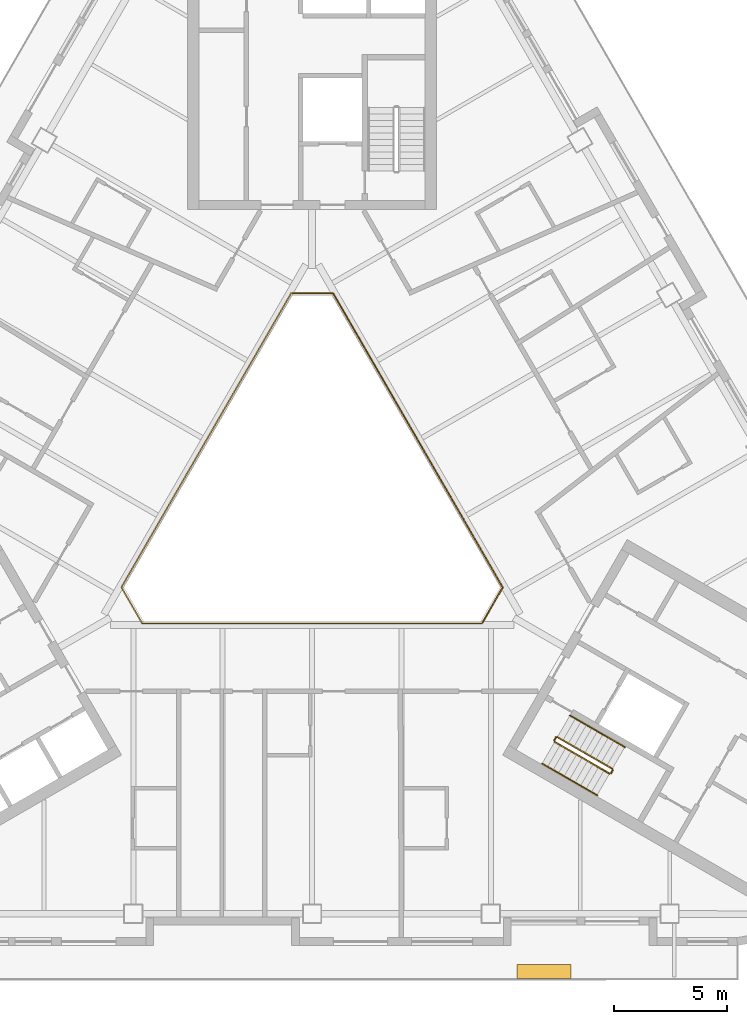
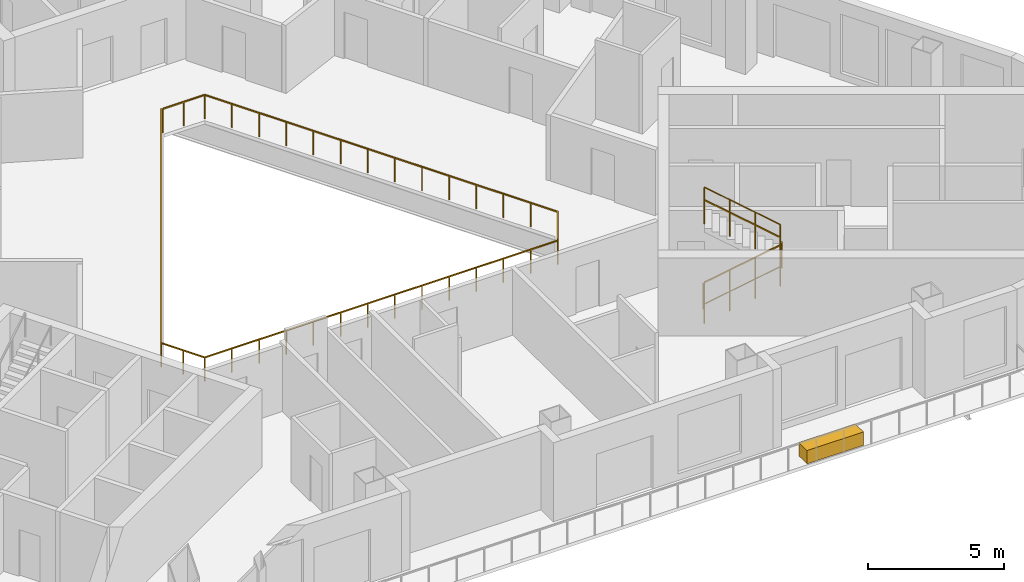
# One storey, part 12 of 14: 8 railings, 1 covering.
"""IFC4 building model written with IfcOpenShell, lengths in metres."""

import ifcopenshell
import ifcopenshell.guid

model = None  # the IFC model being written
_history = None  # IfcOwnerHistory: only IFC2X3 demands one
_inside = {}  # id of a spatial element -> (the spatial element, [elements in it])
_under = {}  # id of a project, library or spatial element -> (it, [spatial elements below it])
_declared = {}  # id of a project -> (the project, [libraries it declares])
_typed = {}  # id of a type object -> (the type object, [elements of that type])
_made_of = {}  # id of a material, layer set ... -> (it, [elements and type objects made of it])


def new_model(schema):
    """Start an empty IFC model of exactly this schema.

    Asked for "IFC4X3", IfcOpenShell would pick the latest addendum, in which some entities
    have other attributes; the version numbers below select the first issue.
    IFC2X3 requires an IfcOwnerHistory on every rooted entity: one is made here for all.
    """
    global model, _history
    if schema == "IFC4X3":
        model = ifcopenshell.file(schema_version=(4, 3, 0, 0))
    else:
        model = ifcopenshell.file(schema=schema)
    _inside.clear()
    _under.clear()
    _declared.clear()
    _typed.clear()
    _made_of.clear()
    _history = None
    if model.schema == "IFC2X3":
        org = make("IfcOrganization", Name="unknown")
        user = make(
            "IfcPersonAndOrganization",
            ThePerson=make("IfcPerson", FamilyName="unknown"),
            TheOrganization=org,
        )
        app = make(
            "IfcApplication",
            ApplicationDeveloper=org,
            Version="unknown",
            ApplicationFullName="unknown",
            ApplicationIdentifier="unknown",
        )
        _history = make(
            "IfcOwnerHistory",
            OwningUser=user,
            OwningApplication=app,
            ChangeAction="ADDED",
            CreationDate=0,
        )
    return model


def make(cls, **values):
    """One entity of the class cls with the attributes given. An attribute that is None is left unset."""
    return model.create_entity(
        cls, **{name: value for name, value in values.items() if value is not None}
    )


def rooted(cls, **values):
    """An entity with a GlobalId (a new one), such as an element, a storey or a relation."""
    return make(cls, GlobalId=ifcopenshell.guid.new(), OwnerHistory=_history, **values)


def si_unit(unit_type, name, prefix=None):
    """IfcSIUnit, for example si_unit("LENGTHUNIT", "METRE", prefix="MILLI")."""
    return make("IfcSIUnit", UnitType=unit_type, Prefix=prefix, Name=name)


def assignment(units):
    """IfcUnitAssignment: the units of a project."""
    return None if units is None else make("IfcUnitAssignment", Units=units)


def point(xyz):
    """IfcCartesianPoint."""
    return None if xyz is None else make("IfcCartesianPoint", Coordinates=xyz)


def direction(xyz):
    """IfcDirection."""
    return None if xyz is None else make("IfcDirection", DirectionRatios=xyz)


def frame(location, z_axis=None, x_axis=None):
    """IfcAxis2Placement3D, a coordinate frame: its origin and axes. An axis left out is left unset."""
    return make(
        "IfcAxis2Placement3D",
        Location=point(location),
        Axis=direction(z_axis),
        RefDirection=direction(x_axis),
    )


def frame_2d(location, x_axis=None):
    """IfcAxis2Placement2D, a coordinate frame in the plane: its origin and x axis."""
    return make(
        "IfcAxis2Placement2D", Location=point(location), RefDirection=direction(x_axis)
    )


def origin():
    """The frame at (0, 0, 0) with its axes left unset."""
    return frame((0.0, 0.0, 0.0))


def origin_2d():
    """The frame at (0, 0) in the plane with its x axis left unset."""
    return frame_2d((0.0, 0.0))


def place(relative_to, where):
    """IfcLocalPlacement: puts the frame where relative to a parent placement (None: the world)."""
    return make(
        "IfcLocalPlacement", PlacementRelTo=relative_to, RelativePlacement=where
    )


def context(
    kind, dimensions, precision=None, world=None, true_north=None, identifier=None
):
    """IfcGeometricRepresentationContext, for example the 3D "Model" context."""
    return make(
        "IfcGeometricRepresentationContext",
        ContextIdentifier=identifier,
        ContextType=kind,
        CoordinateSpaceDimension=dimensions,
        Precision=precision,
        WorldCoordinateSystem=world,
        TrueNorth=true_north,
    )


def subcontext(parent, identifier, kind, view, scale=None):
    """IfcGeometricRepresentationSubContext, for example "Body" below "Model"."""
    return make(
        "IfcGeometricRepresentationSubContext",
        ContextIdentifier=identifier,
        ContextType=kind,
        ParentContext=parent,
        TargetScale=scale,
        TargetView=view,
    )


def project(units=None, contexts=None):
    """IfcProject with its units and contexts."""
    return rooted(
        "IfcProject",
        Name="project",
        RepresentationContexts=contexts,
        UnitsInContext=assignment(units),
    )


def spatial(cls, under=None, at=None, **own):
    """A site, building, storey or space (cls), placed at a placement, below another one or the project."""
    s = rooted(cls, ObjectPlacement=at, **own)
    if under is not None:
        _under.setdefault(under.id(), (under, []))[1].append(s)
    return s


def profile(cls, at=None, kind="AREA", **sizes):
    """A parametric profile (cls). Its sizes go by their IFC names, for example OverallWidth=200.0."""
    return make(cls, ProfileType=kind, Position=at, **sizes)


def rectangle(**sizes):
    """IfcRectangleProfileDef."""
    return profile("IfcRectangleProfileDef", **sizes)


def circle(**sizes):
    """IfcCircleProfileDef."""
    return profile("IfcCircleProfileDef", **sizes)


def extrude(swept, where, along, depth):
    """IfcExtrudedAreaSolid: the profile swept, set in the frame where, extruded along a direction by depth."""
    return make(
        "IfcExtrudedAreaSolid",
        SweptArea=swept,
        Position=where,
        ExtrudedDirection=direction(along),
        Depth=depth,
    )


def shape(context_of_items, identifier, shape_type, items):
    """IfcShapeRepresentation: the items that make up one representation, for example the "Body"."""
    return make(
        "IfcShapeRepresentation",
        ContextOfItems=context_of_items,
        RepresentationIdentifier=identifier,
        RepresentationType=shape_type,
        Items=items,
    )


def material(Name=None, Category=None):
    """IfcMaterial."""
    return make("IfcMaterial", Name=Name, Category=Category)


def made_of(thing, what):
    """Note that an element or type object is made of a material, layer set ...; save() writes the relation."""
    if what is not None:
        _made_of.setdefault(what.id(), (what, []))[1].append(thing)
    return thing


def type_object(cls, material=None, **own):
    """A type object (cls), such as IfcWallType, which elements share."""
    return made_of(rooted(cls, **own), material)


def element(
    cls,
    number,
    at=None,
    inside=None,
    cuts=None,
    type_object=None,
    material=None,
    context=None,
    identifier="Body",
    shape_type=None,
    held_by="IfcProductDefinitionShape",
    body=None,
    shapes=None,
    **own,
):
    """One element of the class cls, such as IfcWall. Its Tag is "e" and its number.

    at: its placement. inside: the storey or other place that contains it. cuts: it is an
    opening in that element (IfcRelVoidsElement). A single representation is given by context,
    identifier, shape_type and body (its items); several are given by shapes. held_by: the class
    of the entity that holds the representations. save() writes the other relations.
    """
    e = rooted(cls, Tag="e%d" % number, ObjectPlacement=at, **own)
    if body is not None:
        shapes = [shape(context, identifier, shape_type, body)]
    if shapes is not None:
        e.Representation = make(held_by, Representations=shapes)
    if inside is not None:
        _inside.setdefault(inside.id(), (inside, []))[1].append(e)
    if cuts is not None:
        rooted(
            "IfcRelVoidsElement", RelatingBuildingElement=cuts, RelatedOpeningElement=e
        )
    if type_object is not None:
        _typed.setdefault(type_object.id(), (type_object, []))[1].append(e)
    return made_of(e, material)


def aggregate(whole, parts):
    """IfcRelAggregates: a whole, such as a stair, and the parts it consists of."""
    return rooted("IfcRelAggregates", RelatingObject=whole, RelatedObjects=parts)


def save(model, path):
    """Write the relations noted so far, then the file.

    IfcRelAggregates (storeys below a building ...), IfcRelContainedInSpatialStructure (elements
    in a storey), IfcRelDefinesByType, IfcRelAssociatesMaterial and IfcRelDeclares: one each for
    every whole, place, type object, material and project.
    """
    for whole, parts in _under.values():
        aggregate(whole, parts)
    for where, things in _inside.values():
        rooted(
            "IfcRelContainedInSpatialStructure",
            RelatedElements=things,
            RelatingStructure=where,
        )
    for kind, things in _typed.values():
        rooted("IfcRelDefinesByType", RelatedObjects=things, RelatingType=kind)
    for what, things in _made_of.values():
        rooted("IfcRelAssociatesMaterial", RelatedObjects=things, RelatingMaterial=what)
    for by, libraries in _declared.values():
        rooted("IfcRelDeclares", RelatingContext=by, RelatedDefinitions=libraries)
    model.write(path)


model = new_model("IFC4")

# Units and contexts
model_context = context("Model", 3, precision=1e-05, world=origin(), true_north=direction((0.0, 1.0)))
body_context = subcontext(model_context, "Body", "Model", "MODEL_VIEW")
ifc_project = project(units=[si_unit("LENGTHUNIT", "METRE"), si_unit("AREAUNIT", "SQUARE_METRE"), si_unit("VOLUMEUNIT", "CUBIC_METRE"), si_unit("PLANEANGLEUNIT", "RADIAN"), si_unit("MASSUNIT", "GRAM", prefix="KILO")], contexts=[model_context])

# Site, building, storey
site_placement = place(None, origin())
site = spatial("IfcSite", under=ifc_project, at=site_placement, CompositionType="ELEMENT")
building_placement = place(site_placement, origin())
building = spatial("IfcBuilding", under=site, at=building_placement, Name="Apuvela Tower Hotel", CompositionType="ELEMENT")
storey_placement = place(building_placement, frame((0.0, 0.0, 179.89990234375)))
storey = spatial("IfcBuildingStorey", under=building, at=storey_placement, Name="L43", CompositionType="ELEMENT", Elevation=179.89990234375)

# Railings
ifc_material_1 = material(Name="Steel S275 balustrade", Category="steel")
railing_type_1 = type_object("IfcRailingType", Name="COR-GUARD-1100", PredefinedType="GUARDRAIL", material=ifc_material_1)
railing_1_placement = place(storey_placement, frame((10.718994140625, -10.63427734375, 0.168212890625)))
element("IfcRailing", 1, at=railing_1_placement, inside=storey, type_object=railing_type_1, Name="L43 ST3 stair guard 1", PredefinedType="GUARDRAIL", context=body_context, shape_type="SweptSolid", body=[
    extrude(rectangle(XDim=0.048095703125, YDim=0.048095703125, at=origin_2d()), frame((0.0, 0.0, 1.076171875), z_axis=(0.742390482028, -0.42860119049, 0.514934356695), x_axis=(0.49998411664, 0.866034573852, 0.0)), (0.0, 0.0, 1.0), 3.26611328125),
    extrude(rectangle(XDim=0.0419921875, YDim=0.0419921875, at=origin_2d()), origin(), (0.0, 0.0, 1.0), 1.052001953125),
    extrude(rectangle(XDim=0.0419921875, YDim=0.0419921875, at=origin_2d()), frame((0.808349609375, -0.466552734375, 0.560546875)), (0.0, 0.0, 1.0), 1.052001953125),
    extrude(rectangle(XDim=0.0419921875, YDim=0.0419921875, at=origin_2d()), frame((1.616455078125, -0.933349609375, 1.121337890625)), (0.0, 0.0, 1.0), 1.052001953125),
    extrude(rectangle(XDim=0.0419921875, YDim=0.0419921875, at=origin_2d()), frame((2.4248046875, -1.39990234375, 1.681884765625)), (0.0, 0.0, 1.0), 1.052001953125),
])
railing_2_placement = place(storey_placement, frame((13.212158203125, -12.015869140625, 1.85009765625)))
element("IfcRailing", 2, at=railing_2_placement, inside=storey, type_object=railing_type_1, Name="L43 ST3 stair guard 2", PredefinedType="GUARDRAIL", context=body_context, shape_type="SweptSolid", body=[
    extrude(rectangle(XDim=0.048095703125, YDim=0.048095703125, at=origin_2d()), frame((0.0, 0.0, 1.076171875), z_axis=(0.499816412211, 0.866131372301, 0.0), x_axis=(-0.866131372301, 0.499816412211, 0.0)), (0.0, 0.0, 1.0), 0.14990234375),
    extrude(rectangle(XDim=0.0419921875, YDim=0.0419921875, at=origin_2d()), origin(), (0.0, 0.0, 1.0), 1.052001953125),
    extrude(rectangle(XDim=0.0419921875, YDim=0.0419921875, at=origin_2d()), frame((0.074951171875, 0.1298828125, 0.0)), (0.0, 0.0, 1.0), 1.052001953125),
])
railing_3_placement = place(storey_placement, frame((13.268798828125, -11.817626953125, 2.018310546875)))
element("IfcRailing", 3, at=railing_3_placement, inside=storey, type_object=railing_type_1, Name="L43 ST3 stair guard 3", PredefinedType="GUARDRAIL", context=body_context, shape_type="SweptSolid", body=[
    extrude(rectangle(XDim=0.048095703125, YDim=0.048095703125, at=origin_2d()), frame((0.0, 0.0, 1.076171875), z_axis=(-0.742390482028, 0.42860119049, 0.514934356695), x_axis=(-0.49998411664, -0.866034573852, 0.0)), (0.0, 0.0, 1.0), 3.26611328125),
    extrude(rectangle(XDim=0.0419921875, YDim=0.0419921875, at=origin_2d()), origin(), (0.0, 0.0, 1.0), 1.052001953125),
    extrude(rectangle(XDim=0.0419921875, YDim=0.0419921875, at=origin_2d()), frame((-0.808349609375, 0.466552734375, 0.560546875)), (0.0, 0.0, 1.0), 1.052001953125),
    extrude(rectangle(XDim=0.0419921875, YDim=0.0419921875, at=origin_2d()), frame((-1.616455078125, 0.933349609375, 1.121337890625)), (0.0, 0.0, 1.0), 1.052001953125),
    extrude(rectangle(XDim=0.0419921875, YDim=0.0419921875, at=origin_2d()), frame((-2.4248046875, 1.39990234375, 1.681884765625)), (0.0, 0.0, 1.0), 1.052001953125),
])
railing_4_placement = place(storey_placement, frame((10.70068359375, -10.56591796875, 0.0)))
element("IfcRailing", 4, at=railing_4_placement, inside=storey, type_object=railing_type_1, Name="L43 ST3 stair guard 4", PredefinedType="GUARDRAIL", context=body_context, shape_type="SweptSolid", body=[
    extrude(rectangle(XDim=0.048095703125, YDim=0.048095703125, at=origin_2d()), frame((0.0, 0.0, 1.076171875), z_axis=(0.499816412211, 0.866131372301, 0.0), x_axis=(-0.866131372301, 0.499816412211, 0.0)), (0.0, 0.0, 1.0), 0.14990234375),
    extrude(rectangle(XDim=0.0419921875, YDim=0.0419921875, at=origin_2d()), origin(), (0.0, 0.0, 1.0), 1.052001953125),
    extrude(rectangle(XDim=0.0419921875, YDim=0.0419921875, at=origin_2d()), frame((0.074951171875, 0.1298828125, 0.0)), (0.0, 0.0, 1.0), 1.052001953125),
])
ifc_material_2 = material(Name="Stainless steel 316 handrail", Category="steel")
railing_type_2 = type_object("IfcRailingType", Name="COR-HANDRAIL-900", PredefinedType="HANDRAIL", material=ifc_material_2)
railing_5_placement = place(storey_placement, frame((10.1689453125, -11.5869140625, 0.168212890625)))
element("IfcRailing", 5, at=railing_5_placement, inside=storey, type_object=railing_type_2, Name="L43 ST3 stair handrail 1", PredefinedType="HANDRAIL", context=body_context, shape_type="SweptSolid", body=[
    extrude(circle(Radius=0.02392578125, at=origin_2d()), frame((0.0, 0.0, 0.8759765625), z_axis=(0.742390482028, -0.42860119049, 0.514934356695), x_axis=(0.49998411664, 0.866034573852, 0.0)), (0.0, 0.0, 1.0), 3.26611328125),
    extrude(rectangle(XDim=0.0419921875, YDim=0.0419921875, at=origin_2d()), origin(), (0.0, 0.0, 1.0), 0.851806640625),
    extrude(rectangle(XDim=0.0419921875, YDim=0.0419921875, at=origin_2d()), frame((0.808349609375, -0.466552734375, 0.560546875)), (0.0, 0.0, 1.0), 0.851806640625),
    extrude(rectangle(XDim=0.0419921875, YDim=0.0419921875, at=origin_2d()), frame((1.616455078125, -0.933349609375, 1.121337890625)), (0.0, 0.0, 1.0), 0.851806640625),
    extrude(rectangle(XDim=0.0419921875, YDim=0.0419921875, at=origin_2d()), frame((2.4248046875, -1.39990234375, 1.681884765625)), (0.0, 0.0, 1.0), 0.851806640625),
])
railing_6_placement = place(storey_placement, frame((13.81884765625, -10.864990234375, 2.018310546875)))
element("IfcRailing", 6, at=railing_6_placement, inside=storey, type_object=railing_type_2, Name="L43 ST3 stair handrail 2", PredefinedType="HANDRAIL", context=body_context, shape_type="SweptSolid", body=[
    extrude(circle(Radius=0.02392578125, at=origin_2d()), frame((0.0, 0.0, 0.8759765625), z_axis=(-0.742390482028, 0.42860119049, 0.514934356695), x_axis=(-0.49998411664, -0.866034573852, 0.0)), (0.0, 0.0, 1.0), 3.26611328125),
    extrude(rectangle(XDim=0.0419921875, YDim=0.0419921875, at=origin_2d()), origin(), (0.0, 0.0, 1.0), 0.851806640625),
    extrude(rectangle(XDim=0.0419921875, YDim=0.0419921875, at=origin_2d()), frame((-0.808349609375, 0.466552734375, 0.560546875)), (0.0, 0.0, 1.0), 0.851806640625),
    extrude(rectangle(XDim=0.0419921875, YDim=0.0419921875, at=origin_2d()), frame((-1.616455078125, 0.933349609375, 1.121337890625)), (0.0, 0.0, 1.0), 0.851806640625),
    extrude(rectangle(XDim=0.0419921875, YDim=0.0419921875, at=origin_2d()), frame((-2.4248046875, 1.39990234375, 1.681884765625)), (0.0, 0.0, 1.0), 0.851806640625),
])
ifc_material_3 = material(Name="Stainless steel 316 rail with laminated glass infill", Category="steel")
railing_type_3 = type_object("IfcRailingType", Name="ENV-GUARD-1100", PredefinedType="GUARDRAIL", material=ifc_material_3)
railing_7_placement = place(storey_placement, frame((-0.923828125, 9.199951171875, 0.0)))
element("IfcRailing", 7, at=railing_7_placement, inside=storey, type_object=railing_type_3, Name="Atrium void guard A L43", PredefinedType="GUARDRAIL", context=body_context, shape_type="SweptSolid", body=[
    extrude(rectangle(XDim=0.050048828125, YDim=0.050048828125, at=origin_2d()), frame((0.0, 0.0, 1.0751953125), z_axis=(-0.499990886379, -0.866030665472, 0.0), x_axis=(0.866030665472, -0.499990886379, 0.0)), (0.0, 0.0, 1.0), 15.010986328125),
    extrude(rectangle(XDim=0.050048828125, YDim=0.050048828125, at=origin_2d()), frame((-7.50537109375, -13.0, 1.0751953125), z_axis=(0.499962699187, -0.866046938348, 0.0), x_axis=(0.866046938348, 0.499962699187, 0.0)), (0.0, 0.0, 1.0), 1.847412109375),
    extrude(rectangle(XDim=0.050048828125, YDim=0.050048828125, at=origin_2d()), frame((-6.581787109375, -14.599853515625, 1.0751953125), z_axis=(1.0, 0.0, 0.0), x_axis=(0.0, 1.0, 0.0)), (0.0, 0.0, 1.0), 15.01123046875),
    extrude(rectangle(XDim=0.0400390625, YDim=0.0400390625, at=origin_2d()), origin(), (0.0, 0.0, 1.0), 1.050048828125),
    extrude(rectangle(XDim=0.0400390625, YDim=0.0400390625, at=origin_2d()), frame((-0.577392578125, -1.0, 0.0)), (0.0, 0.0, 1.0), 1.050048828125),
    extrude(rectangle(XDim=0.0400390625, YDim=0.0400390625, at=origin_2d()), frame((-1.15478515625, -2.0, 0.0)), (0.0, 0.0, 1.0), 1.050048828125),
    extrude(rectangle(XDim=0.0400390625, YDim=0.0400390625, at=origin_2d()), frame((-1.73193359375, -3.0, 0.0)), (0.0, 0.0, 1.0), 1.050048828125),
    extrude(rectangle(XDim=0.0400390625, YDim=0.0400390625, at=origin_2d()), frame((-2.309326171875, -4.0, 0.0)), (0.0, 0.0, 1.0), 1.050048828125),
    extrude(rectangle(XDim=0.0400390625, YDim=0.0400390625, at=origin_2d()), frame((-2.88671875, -5.0, 0.0)), (0.0, 0.0, 1.0), 1.050048828125),
    extrude(rectangle(XDim=0.0400390625, YDim=0.0400390625, at=origin_2d()), frame((-3.464111328125, -6.0, 0.0)), (0.0, 0.0, 1.0), 1.050048828125),
    extrude(rectangle(XDim=0.0400390625, YDim=0.0400390625, at=origin_2d()), frame((-4.041259765625, -7.0, 0.0)), (0.0, 0.0, 1.0), 1.050048828125),
    extrude(rectangle(XDim=0.0400390625, YDim=0.0400390625, at=origin_2d()), frame((-4.61865234375, -8.0, 0.0)), (0.0, 0.0, 1.0), 1.050048828125),
    extrude(rectangle(XDim=0.0400390625, YDim=0.0400390625, at=origin_2d()), frame((-5.196044921875, -9.0, 0.0)), (0.0, 0.0, 1.0), 1.050048828125),
    extrude(rectangle(XDim=0.0400390625, YDim=0.0400390625, at=origin_2d()), frame((-5.7734375, -10.0, 0.0)), (0.0, 0.0, 1.0), 1.050048828125),
    extrude(rectangle(XDim=0.0400390625, YDim=0.0400390625, at=origin_2d()), frame((-6.3505859375, -11.0, 0.0)), (0.0, 0.0, 1.0), 1.050048828125),
    extrude(rectangle(XDim=0.0400390625, YDim=0.0400390625, at=origin_2d()), frame((-6.927978515625, -12.0, 0.0)), (0.0, 0.0, 1.0), 1.050048828125),
    extrude(rectangle(XDim=0.0400390625, YDim=0.0400390625, at=origin_2d()), frame((-7.50537109375, -13.0, 0.0)), (0.0, 0.0, 1.0), 1.050048828125),
    extrude(rectangle(XDim=0.0400390625, YDim=0.0400390625, at=origin_2d()), frame((-7.04345703125, -13.7998046875, 0.0)), (0.0, 0.0, 1.0), 1.050048828125),
    extrude(rectangle(XDim=0.0400390625, YDim=0.0400390625, at=origin_2d()), frame((-6.581787109375, -14.599853515625, 0.0)), (0.0, 0.0, 1.0), 1.050048828125),
    extrude(rectangle(XDim=0.0400390625, YDim=0.0400390625, at=origin_2d()), frame((-5.427001953125, -14.599853515625, 0.0)), (0.0, 0.0, 1.0), 1.050048828125),
    extrude(rectangle(XDim=0.0400390625, YDim=0.0400390625, at=origin_2d()), frame((-4.2724609375, -14.599853515625, 0.0)), (0.0, 0.0, 1.0), 1.050048828125),
    extrude(rectangle(XDim=0.0400390625, YDim=0.0400390625, at=origin_2d()), frame((-3.11767578125, -14.599853515625, 0.0)), (0.0, 0.0, 1.0), 1.050048828125),
    extrude(rectangle(XDim=0.0400390625, YDim=0.0400390625, at=origin_2d()), frame((-1.962890625, -14.599853515625, 0.0)), (0.0, 0.0, 1.0), 1.050048828125),
    extrude(rectangle(XDim=0.0400390625, YDim=0.0400390625, at=origin_2d()), frame((-0.808349609375, -14.599853515625, 0.0)), (0.0, 0.0, 1.0), 1.050048828125),
    extrude(rectangle(XDim=0.0400390625, YDim=0.0400390625, at=origin_2d()), frame((0.346435546875, -14.599853515625, 0.0)), (0.0, 0.0, 1.0), 1.050048828125),
    extrude(rectangle(XDim=0.0400390625, YDim=0.0400390625, at=origin_2d()), frame((1.501220703125, -14.599853515625, 0.0)), (0.0, 0.0, 1.0), 1.050048828125),
    extrude(rectangle(XDim=0.0400390625, YDim=0.0400390625, at=origin_2d()), frame((2.656005859375, -14.599853515625, 0.0)), (0.0, 0.0, 1.0), 1.050048828125),
    extrude(rectangle(XDim=0.0400390625, YDim=0.0400390625, at=origin_2d()), frame((3.810546875, -14.599853515625, 0.0)), (0.0, 0.0, 1.0), 1.050048828125),
    extrude(rectangle(XDim=0.0400390625, YDim=0.0400390625, at=origin_2d()), frame((4.96533203125, -14.599853515625, 0.0)), (0.0, 0.0, 1.0), 1.050048828125),
    extrude(rectangle(XDim=0.0400390625, YDim=0.0400390625, at=origin_2d()), frame((6.1201171875, -14.599853515625, 0.0)), (0.0, 0.0, 1.0), 1.050048828125),
    extrude(rectangle(XDim=0.0400390625, YDim=0.0400390625, at=origin_2d()), frame((7.274658203125, -14.599853515625, 0.0)), (0.0, 0.0, 1.0), 1.050048828125),
    extrude(rectangle(XDim=0.0400390625, YDim=0.0400390625, at=origin_2d()), frame((8.429443359375, -14.599853515625, 0.0)), (0.0, 0.0, 1.0), 1.050048828125),
])
railing_8_placement = place(storey_placement, frame((7.53564453125, -5.347900390625, 0.0)))
element("IfcRailing", 8, at=railing_8_placement, inside=storey, type_object=railing_type_3, Name="Atrium void guard B L43", PredefinedType="GUARDRAIL", context=body_context, shape_type="SweptSolid", body=[
    extrude(rectangle(XDim=0.050048828125, YDim=0.050048828125, at=origin_2d()), frame((0.0, 0.0, 1.0751953125), z_axis=(0.499958946799, 0.866049104564, 0.0), x_axis=(-0.866049104564, 0.499958946799, 0.0)), (0.0, 0.0, 1.0), 1.787353515625),
    extrude(rectangle(XDim=0.050048828125, YDim=0.050048828125, at=origin_2d()), frame((0.8935546875, 1.5478515625, 1.0751953125), z_axis=(-0.499990886379, 0.866030665472, 0.0), x_axis=(-0.866030665472, -0.499990886379, 0.0)), (0.0, 0.0, 1.0), 15.010986328125),
    extrude(rectangle(XDim=0.050048828125, YDim=0.050048828125, at=origin_2d()), frame((-6.61181640625, 14.5478515625, 1.0751953125), z_axis=(-1.0, 0.0, 0.0), x_axis=(0.0, -1.0, 0.0)), (0.0, 0.0, 1.0), 1.78759765625),
    extrude(rectangle(XDim=0.0400390625, YDim=0.0400390625, at=origin_2d()), origin(), (0.0, 0.0, 1.0), 1.050048828125),
    extrude(rectangle(XDim=0.0400390625, YDim=0.0400390625, at=origin_2d()), frame((0.44677734375, 0.77392578125, 0.0)), (0.0, 0.0, 1.0), 1.050048828125),
    extrude(rectangle(XDim=0.0400390625, YDim=0.0400390625, at=origin_2d()), frame((0.8935546875, 1.5478515625, 0.0)), (0.0, 0.0, 1.0), 1.050048828125),
    extrude(rectangle(XDim=0.0400390625, YDim=0.0400390625, at=origin_2d()), frame((0.316162109375, 2.5478515625, 0.0)), (0.0, 0.0, 1.0), 1.050048828125),
    extrude(rectangle(XDim=0.0400390625, YDim=0.0400390625, at=origin_2d()), frame((-0.26123046875, 3.5478515625, 0.0)), (0.0, 0.0, 1.0), 1.050048828125),
    extrude(rectangle(XDim=0.0400390625, YDim=0.0400390625, at=origin_2d()), frame((-0.83837890625, 4.5478515625, 0.0)), (0.0, 0.0, 1.0), 1.050048828125),
    extrude(rectangle(XDim=0.0400390625, YDim=0.0400390625, at=origin_2d()), frame((-1.415771484375, 5.5478515625, 0.0)), (0.0, 0.0, 1.0), 1.050048828125),
    extrude(rectangle(XDim=0.0400390625, YDim=0.0400390625, at=origin_2d()), frame((-1.9931640625, 6.5478515625, 0.0)), (0.0, 0.0, 1.0), 1.050048828125),
    extrude(rectangle(XDim=0.0400390625, YDim=0.0400390625, at=origin_2d()), frame((-2.570556640625, 7.5478515625, 0.0)), (0.0, 0.0, 1.0), 1.050048828125),
    extrude(rectangle(XDim=0.0400390625, YDim=0.0400390625, at=origin_2d()), frame((-3.147705078125, 8.5478515625, 0.0)), (0.0, 0.0, 1.0), 1.050048828125),
    extrude(rectangle(XDim=0.0400390625, YDim=0.0400390625, at=origin_2d()), frame((-3.72509765625, 9.5478515625, 0.0)), (0.0, 0.0, 1.0), 1.050048828125),
    extrude(rectangle(XDim=0.0400390625, YDim=0.0400390625, at=origin_2d()), frame((-4.302490234375, 10.5478515625, 0.0)), (0.0, 0.0, 1.0), 1.050048828125),
    extrude(rectangle(XDim=0.0400390625, YDim=0.0400390625, at=origin_2d()), frame((-4.8798828125, 11.5478515625, 0.0)), (0.0, 0.0, 1.0), 1.050048828125),
    extrude(rectangle(XDim=0.0400390625, YDim=0.0400390625, at=origin_2d()), frame((-5.45703125, 12.5478515625, 0.0)), (0.0, 0.0, 1.0), 1.050048828125),
    extrude(rectangle(XDim=0.0400390625, YDim=0.0400390625, at=origin_2d()), frame((-6.034423828125, 13.5478515625, 0.0)), (0.0, 0.0, 1.0), 1.050048828125),
    extrude(rectangle(XDim=0.0400390625, YDim=0.0400390625, at=origin_2d()), frame((-6.61181640625, 14.5478515625, 0.0)), (0.0, 0.0, 1.0), 1.050048828125),
    extrude(rectangle(XDim=0.0400390625, YDim=0.0400390625, at=origin_2d()), frame((-7.505615234375, 14.5478515625, 0.0)), (0.0, 0.0, 1.0), 1.050048828125),
    extrude(rectangle(XDim=0.0400390625, YDim=0.0400390625, at=origin_2d()), frame((-8.3994140625, 14.5478515625, 0.0)), (0.0, 0.0, 1.0), 1.050048828125),
])

# Covering
ifc_material_4 = material(Name="Planting substrate and soil, planted")
covering_type = type_object("IfcCoveringType", Name="ENV-PLANTER-2400x600", PredefinedType="USERDEFINED", material=ifc_material_4)
covering_placement = place(storey_placement, frame((10.250244140625, -20.780029296875, 0.0), z_axis=(0.0, 0.0, 1.0), x_axis=(1.0, 0.0, 0.0)))
element("IfcCovering", 9, at=covering_placement, inside=storey, type_object=covering_type, Name="Planter S2", ObjectType="PLANTER", PredefinedType="USERDEFINED", context=body_context, shape_type="SweptSolid", body=[
    extrude(rectangle(XDim=2.39990234375, YDim=0.60009765625, at=origin_2d()), origin(), (0.0, 0.0, 1.0), 0.60009765625),
])

save(model, "model.ifc")
